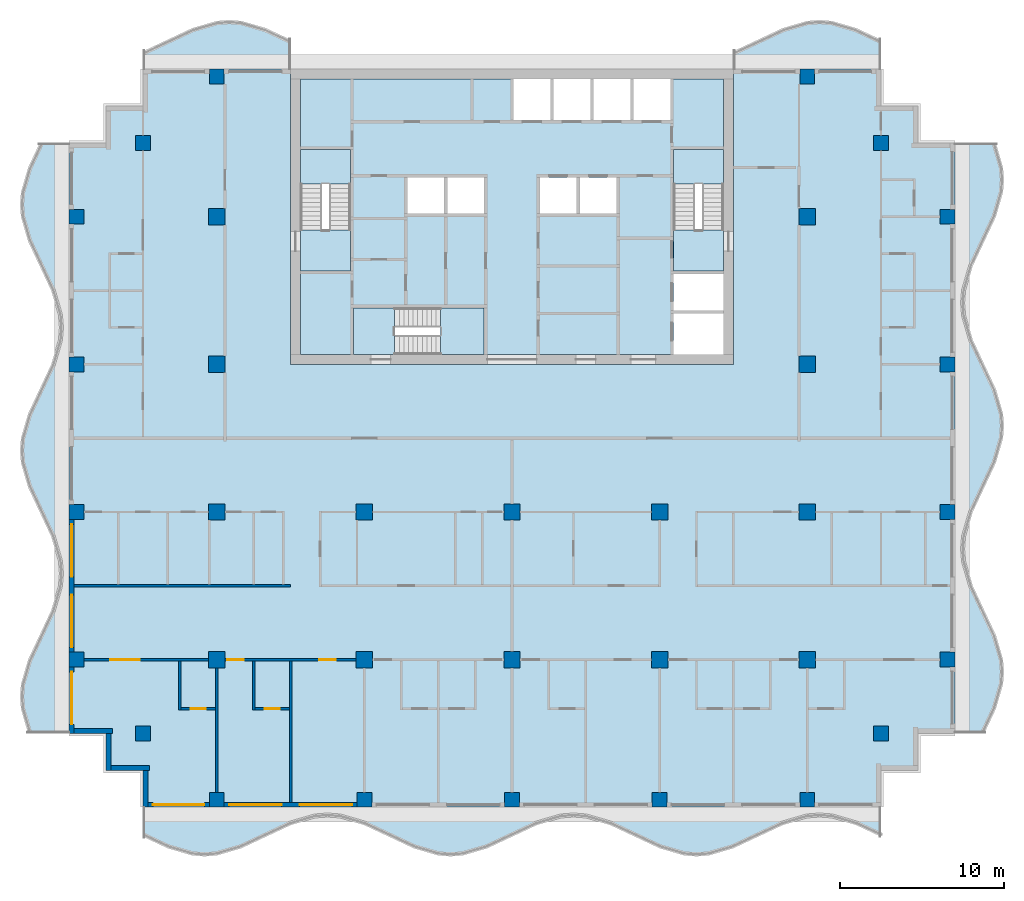
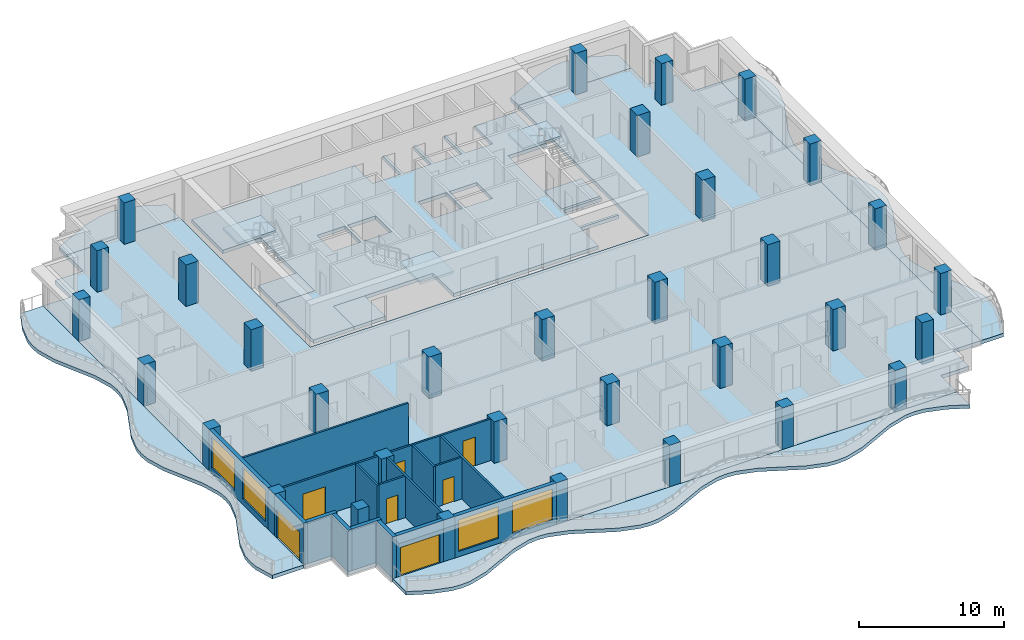
# One storey, part 1 of 11: 33 columns, 17 walls, 13 slabs, 7 doors, 4 windows, 11 openings, 3 elements without a shape of their own.
"""IFC4 building model written with IfcOpenShell, lengths in metres."""

from ifc_helpers import new_model, si_unit, direction, frame, frame_2d, origin, origin_2d, place, context, subcontext, project, spatial, polyline, rectangle, outline, extrude, material, layer, layer_set, material_profile, profile_set, type_object, element, fill, aggregate, save


model = new_model("IFC4")

# Units and contexts
model_context = context("Model", 3, precision=1e-05, world=origin(), true_north=direction((0.0, 1.0)))
body_context = subcontext(model_context, "Body", "Model", "MODEL_VIEW")
ifc_project = project(units=[si_unit("LENGTHUNIT", "METRE"), si_unit("AREAUNIT", "SQUARE_METRE"), si_unit("VOLUMEUNIT", "CUBIC_METRE"), si_unit("PLANEANGLEUNIT", "RADIAN"), si_unit("MASSUNIT", "GRAM", prefix="KILO")], contexts=[model_context])

# Site, building, storey
site_placement = place(None, origin())
site = spatial("IfcSite", under=ifc_project, at=site_placement, CompositionType="ELEMENT")
building_placement = place(site_placement, origin())
building = spatial("IfcBuilding", under=site, at=building_placement, Name="Orbiselva Terraces", CompositionType="ELEMENT")
storey_placement = place(building_placement, frame((0.0, 0.0, 242.6)))
storey = spatial("IfcBuildingStorey", under=building, at=storey_placement, Name="L61", CompositionType="ELEMENT", Elevation=242.6)

# Columns
ifc_material_1 = material(Name="Concrete C50/60", Category="concrete")
ifc_material_profile_1 = material_profile(ifc_material_1, rectangle(XDim=1.0, YDim=1.0, at=origin_2d()), Name="RC 1000x1000")
ifc_profile_set_1 = profile_set([ifc_material_profile_1], Name="Concrete C50/60")
column_type_1 = type_object("IfcColumnType", Name="COLUMN RC 1000x1000", PredefinedType="COLUMN", material=ifc_profile_set_1)
for number, where, z_axis, x_axis, name in (
    (1, (-18.0, -13.5, 0.0), (0.0, 0.0, 1.0), (1.0, 0.0, 0.0), "Column L61-01"),
    (2, (-18.0, -4.5, 0.0), (0.0, 0.0, 1.0), (1.0, 0.0, 0.0), "Column L61-03"),
    (3, (-18.0, 13.5, 0.0), (0.0, 0.0, 1.0), (1.0, 0.0, 0.0), "Column L61-04"),
    (4, (-18.0, 4.5, 0.0), (0.0, 0.0, 1.0), (1.0, 0.0, 0.0), "Column L61-06"),
    (5, (-9.0, -13.5, 0.0), (0.0, 0.0, 1.0), (1.0, 0.0, 0.0), "Column L61-13"),
    (6, (-9.0, -4.5, 0.0), (0.0, 0.0, 1.0), (1.0, 0.0, 0.0), "Column L61-15"),
    (7, (0.0, -13.5, 0.0), (0.0, 0.0, 1.0), (1.0, 0.0, 0.0), "Column L61-16"),
    (8, (0.0, -4.5, 0.0), (0.0, 0.0, 1.0), (1.0, 0.0, 0.0), "Column L61-18"),
    (9, (18.0, -13.5, 0.0), (0.0, 0.0, 1.0), (1.0, 0.0, 0.0), "Column L61-19"),
    (10, (18.0, -4.5, 0.0), (0.0, 0.0, 1.0), (1.0, 0.0, 0.0), "Column L61-21"),
    (11, (18.0, 13.5, 0.0), (0.0, 0.0, 1.0), (1.0, 0.0, 0.0), "Column L61-22"),
    (12, (18.0, 4.5, 0.0), (0.0, 0.0, 1.0), (1.0, 0.0, 0.0), "Column L61-24"),
    (13, (9.0, -13.5, 0.0), (0.0, 0.0, 1.0), (1.0, 0.0, 0.0), "Column L61-31"),
    (14, (9.0, -4.5, 0.0), (0.0, 0.0, 1.0), (1.0, 0.0, 0.0), "Column L61-33"),
):
    element("IfcColumn", number, at=place(storey_placement, frame(where, z_axis=z_axis, x_axis=x_axis)), inside=storey, type_object=column_type_1, Name=name, PredefinedType="COLUMN", context=body_context, shape_type="SweptSolid", body=[
        extrude(rectangle(XDim=1.0, YDim=1.0, at=origin_2d()), origin(), (0.0, 0.0, 1.0), 3.5),
    ])
ifc_material_profile_2 = material_profile(ifc_material_1, rectangle(XDim=0.9, YDim=0.9, at=origin_2d()), Name="RC 900x900")
ifc_profile_set_2 = profile_set([ifc_material_profile_2], Name="Concrete C50/60")
column_type_2 = type_object("IfcColumnType", Name="PERIMETER COLUMN RC 900x900", PredefinedType="COLUMN", material=ifc_profile_set_2)
for number, where, z_axis, x_axis, name in (
    (15, (-18.0, -22.05, 0.0), (0.0, 0.0, 1.0), (1.0, 0.0, 0.0), "Column L61-02"),
    (16, (-18.0, 22.05, 0.0), (0.0, 0.0, 1.0), (1.0, 0.0, 0.0), "Column L61-05"),
    (17, (-26.55, -13.5, 0.0), (0.0, 0.0, 1.0), (1.0, 0.0, 0.0), "Column L61-07"),
    (18, (-22.5, -18.0, 0.0), (0.0, 0.0, 1.0), (1.0, 0.0, 0.0), "Column L61-08"),
    (19, (-26.55, -4.5, 0.0), (0.0, 0.0, 1.0), (1.0, 0.0, 0.0), "Column L61-09"),
    (20, (-26.55, 13.5, 0.0), (0.0, 0.0, 1.0), (1.0, 0.0, 0.0), "Column L61-10"),
    (21, (-22.5, 18.0, 0.0), (0.0, 0.0, 1.0), (1.0, 0.0, 0.0), "Column L61-11"),
    (22, (-26.55, 4.5, 0.0), (0.0, 0.0, 1.0), (1.0, 0.0, 0.0), "Column L61-12"),
    (23, (-9.0, -22.05, 0.0), (0.0, 0.0, 1.0), (1.0, 0.0, 0.0), "Column L61-14"),
    (24, (0.0, -22.05, 0.0), (0.0, 0.0, 1.0), (1.0, 0.0, 0.0), "Column L61-17"),
    (25, (18.0, -22.05, 0.0), (0.0, 0.0, 1.0), (1.0, 0.0, 0.0), "Column L61-20"),
    (26, (18.0, 22.05, 0.0), (0.0, 0.0, 1.0), (1.0, 0.0, 0.0), "Column L61-23"),
    (27, (26.55, -13.5, 0.0), (0.0, 0.0, 1.0), (1.0, 0.0, 0.0), "Column L61-25"),
    (28, (22.5, -18.0, 0.0), (0.0, 0.0, 1.0), (1.0, 0.0, 0.0), "Column L61-26"),
    (29, (26.55, -4.5, 0.0), (0.0, 0.0, 1.0), (1.0, 0.0, 0.0), "Column L61-27"),
    (30, (26.55, 13.5, 0.0), (0.0, 0.0, 1.0), (1.0, 0.0, 0.0), "Column L61-28"),
    (31, (22.5, 18.0, 0.0), (0.0, 0.0, 1.0), (1.0, 0.0, 0.0), "Column L61-29"),
    (32, (26.55, 4.5, 0.0), (0.0, 0.0, 1.0), (1.0, 0.0, 0.0), "Column L61-30"),
    (33, (9.0, -22.05, 0.0), (0.0, 0.0, 1.0), (1.0, 0.0, 0.0), "Column L61-32"),
):
    element("IfcColumn", number, at=place(storey_placement, frame(where, z_axis=z_axis, x_axis=x_axis)), inside=storey, type_object=column_type_2, Name=name, PredefinedType="COLUMN", context=body_context, shape_type="SweptSolid", body=[
        extrude(rectangle(XDim=0.9, YDim=0.9, at=origin_2d()), origin(), (0.0, 0.0, 1.0), 3.5),
    ])

# Slabs
ifc_material_2 = material(Name="Concrete C40/50", Category="concrete")
ifc_layer_1 = layer(ifc_material_2, 0.3)
ifc_layer_set_1 = layer_set([ifc_layer_1], Name="Concrete C40/50")
slab_type_1 = type_object("IfcSlabType", Name="CORE-SLAB-FLOOR-300", PredefinedType="FLOOR", material=ifc_layer_set_1)
slab_1_placement = place(storey_placement, frame((0.0, 0.0, -0.3)))
element("IfcSlab", 34, at=slab_1_placement, inside=storey, type_object=slab_type_1, Name="L61 S1 floor landing", PredefinedType="FLOOR", context=body_context, shape_type="SweptSolid", body=[
    extrude(outline(polyline([(-12.9, 12.7), (-9.85, 12.7), (-9.85, 10.2), (-12.9, 10.2), (-12.9, 12.7)])), origin(), (0.0, 0.0, 1.0), 0.3),
])
slab_2_placement = place(storey_placement, frame((0.0, 0.0, -0.3)))
element("IfcSlab", 35, at=slab_2_placement, inside=storey, type_object=slab_type_1, Name="L61 S2 floor landing", PredefinedType="FLOOR", context=body_context, shape_type="SweptSolid", body=[
    extrude(outline(polyline([(12.9, 12.7), (12.9, 10.2), (9.85, 10.2), (9.85, 12.7), (12.9, 12.7)])), origin(), (0.0, 0.0, 1.0), 0.3),
])
slab_3_placement = place(storey_placement, frame((0.0, 0.0, -0.3)))
element("IfcSlab", 36, at=slab_3_placement, inside=storey, type_object=slab_type_1, Name="L61 S3 floor landing", PredefinedType="FLOOR", context=body_context, shape_type="SweptSolid", body=[
    extrude(outline(polyline([(-7.15, 5.1), (-9.65, 5.1), (-9.65, 7.95), (-7.15, 7.95), (-7.15, 5.1)])), origin(), (0.0, 0.0, 1.0), 0.3),
])
slab_4_placement = place(storey_placement, frame((0.0, 0.0, -0.3)))
element("IfcSlab", 37, at=slab_4_placement, inside=storey, type_object=slab_type_1, Name="L61 core floor slab 1", PredefinedType="FLOOR", context=body_context, shape_type="SweptSolid", body=[
    extrude(outline(polyline([(-1.7, 5.1), (-1.7, 7.95), (-9.65, 7.95), (-9.65, 5.1), (-12.9, 5.1), (-12.9, 10.2), (-9.85, 10.2), (-9.85, 17.6), (-12.9, 17.6), (-12.9, 21.9), (0.1, 21.9), (0.1, 19.4), (2.3375, 19.4), (2.3375, 21.9), (2.5375, 21.9), (2.5375, 19.4), (4.775, 19.4), (4.775, 21.9), (4.975, 21.9), (4.975, 19.4), (7.2125, 19.4), (7.2125, 21.9), (7.4125, 21.9), (7.4125, 19.4), (9.65, 19.4), (9.65, 21.9), (12.9, 21.9), (12.9, 17.6), (9.85, 17.6), (9.85, 10.2), (12.9, 10.2), (12.9, 10.0), (9.85, 10.0), (9.85, 7.8), (12.9, 7.8), (12.9, 7.6), (9.85, 7.6), (9.85, 5.1), (-1.7, 5.1)]), holes=[polyline([(-4.1375, 13.7), (-4.1375, 15.9), (-6.375, 15.9), (-6.375, 13.7), (-4.1375, 13.7)]), polyline([(-1.7, 13.7), (-1.7, 15.9), (-3.9375, 15.9), (-3.9375, 13.7), (-1.7, 13.7)]), polyline([(3.9375, 15.9), (1.7, 15.9), (1.7, 13.7), (3.9375, 13.7), (3.9375, 15.9)]), polyline([(6.375, 13.7), (6.375, 15.9), (4.1375, 15.9), (4.1375, 13.7), (6.375, 13.7)])]), origin(), (0.0, 0.0, 1.0), 0.3),
])

# Stair, slab
stair_type_1 = type_object("IfcStairType", Name="CORE-STAIR-1300", PredefinedType="HALF_TURN_STAIR", material=ifc_material_2)
stair_1_placement = place(storey_placement, origin())
stair_1 = element("IfcStair", 38, at=stair_1_placement, inside=storey, type_object=stair_type_1, Name="L61 Exit Stair S1", PredefinedType="HALF_TURN_STAIR")
ifc_layer_2 = layer(ifc_material_2, 0.2)
ifc_layer_set_2 = layer_set([ifc_layer_2], Name="Concrete C40/50")
slab_type_2 = type_object("IfcSlabType", Name="CORE-STAIR-LANDING-200", PredefinedType="LANDING", material=ifc_layer_set_2)
slab_5_placement = place(storey_placement, frame((0.0, 0.0, 1.7)))
slab_5 = element("IfcSlab", 39, at=slab_5_placement, type_object=slab_type_2, Name="S1 landing 1", PredefinedType="LANDING", context=body_context, shape_type="SweptSolid", body=[
    extrude(outline(polyline([(-9.85, 15.5), (-9.85, 17.6), (-12.9, 17.6), (-12.9, 15.5), (-9.85, 15.5)])), origin(), (0.0, 0.0, 1.0), 0.2),
])
aggregate(stair_1, [slab_5])

stair_2_placement = place(storey_placement, origin())
stair_2 = element("IfcStair", 40, at=stair_2_placement, inside=storey, type_object=stair_type_1, Name="L61 Exit Stair S2", PredefinedType="HALF_TURN_STAIR")
slab_6_placement = place(storey_placement, frame((0.0, 0.0, 1.7)))
slab_6 = element("IfcSlab", 41, at=slab_6_placement, type_object=slab_type_2, Name="S2 landing 1", PredefinedType="LANDING", context=body_context, shape_type="SweptSolid", body=[
    extrude(outline(polyline([(12.9, 15.5), (12.9, 17.6), (9.85, 17.6), (9.85, 15.5), (12.9, 15.5)])), origin(), (0.0, 0.0, 1.0), 0.2),
])
aggregate(stair_2, [slab_6])

stair_type_2 = type_object("IfcStairType", Name="CORE-STAIR-1200", PredefinedType="HALF_TURN_STAIR", material=ifc_material_2)
stair_3_placement = place(storey_placement, origin())
stair_3 = element("IfcStair", 42, at=stair_3_placement, inside=storey, type_object=stair_type_2, Name="L61 Exit Stair S3", PredefinedType="HALF_TURN_STAIR")
slab_7_placement = place(storey_placement, frame((0.0, 0.0, 1.7)))
slab_7 = element("IfcSlab", 43, at=slab_7_placement, type_object=slab_type_2, Name="S3 landing 1", PredefinedType="LANDING", context=body_context, shape_type="SweptSolid", body=[
    extrude(outline(polyline([(-4.35, 5.1), (-1.7, 5.1), (-1.7, 7.95), (-4.35, 7.95), (-4.35, 5.1)])), origin(), (0.0, 0.0, 1.0), 0.2),
])
aggregate(stair_3, [slab_7])

# Slabs
ifc_layer_3 = layer(ifc_material_1, 0.3)
ifc_layer_set_3 = layer_set([ifc_layer_3], Name="Concrete C50/60")
slab_type_3 = type_object("IfcSlabType", Name="ENV-BALCONY-SLAB-300", PredefinedType="FLOOR", material=ifc_layer_set_3)
slab_8_placement = place(storey_placement, frame((0.0, 0.0, -0.3)))
element("IfcSlab", 44, at=slab_8_placement, inside=storey, type_object=slab_type_3, Name="Balcony slab L61 S", PredefinedType="FLOOR", context=body_context, shape_type="SweptSolid", body=[
    extrude(outline(polyline([(-22.5, -24.3), (-21.0, -25.005342), (-19.5, -25.441268), (-18.75, -25.5), (-18.0, -25.441268), (-16.5, -25.005342), (-13.5, -23.594658), (-12.0, -23.158732), (-11.25, -23.1), (-10.5, -23.158732), (-9.0, -23.594658), (-6.0, -25.005342), (-4.5, -25.441268), (-3.75, -25.5), (-3.0, -25.441268), (-1.5, -25.005342), (1.5, -23.594658), (3.0, -23.158732), (3.75, -23.1), (4.5, -23.158732), (6.0, -23.594658), (9.0, -25.005342), (10.5, -25.441268), (11.25, -25.5), (12.0, -25.441268), (13.5, -25.005342), (16.5, -23.594658), (18.0, -23.158732), (18.75, -23.1), (19.5, -23.158732), (21.0, -23.594658), (22.5, -24.3), (22.5, -22.5), (-22.5, -22.5), (-22.5, -24.3)])), origin(), (0.0, 0.0, 1.0), 0.3),
])
slab_9_placement = place(storey_placement, frame((0.0, 0.0, -0.3)))
element("IfcSlab", 45, at=slab_9_placement, inside=storey, type_object=slab_type_3, Name="Balcony slab L61 E", PredefinedType="FLOOR", context=body_context, shape_type="SweptSolid", body=[
    extrude(outline(polyline([(28.8, -18.0), (29.505342, -16.5), (29.941268, -15.0), (30.0, -14.25), (29.941268, -13.5), (29.505342, -12.0), (28.094658, -9.0), (27.658732, -7.5), (27.6, -6.75), (27.658732, -6.0), (28.094658, -4.5), (29.505342, -1.5), (29.941268, 0.0), (30.0, 0.75), (29.941268, 1.5), (29.505342, 3.0), (28.094658, 6.0), (27.658732, 7.5), (27.6, 8.25), (27.658732, 9.0), (28.094658, 10.5), (29.505342, 13.5), (29.941268, 15.0), (30.0, 15.75), (29.941268, 16.5), (29.505342, 18.0), (27.0, 18.0), (27.0, -18.0), (28.8, -18.0)])), origin(), (0.0, 0.0, 1.0), 0.3),
])
slab_10_placement = place(storey_placement, frame((0.0, 0.0, -0.3)))
element("IfcSlab", 46, at=slab_10_placement, inside=storey, type_object=slab_type_3, Name="Balcony slab L61 NE", PredefinedType="FLOOR", context=body_context, shape_type="SweptSolid", body=[
    extrude(outline(polyline([(22.5, 24.3), (21.0, 25.005342), (19.5, 25.441268), (18.75, 25.5), (18.0, 25.441268), (16.5, 25.005342), (13.5, 23.594658), (13.5, 22.5), (22.5, 22.5), (22.5, 24.3)])), origin(), (0.0, 0.0, 1.0), 0.3),
])
slab_11_placement = place(storey_placement, frame((0.0, 0.0, -0.3)))
element("IfcSlab", 47, at=slab_11_placement, inside=storey, type_object=slab_type_3, Name="Balcony slab L61 NW", PredefinedType="FLOOR", context=body_context, shape_type="SweptSolid", body=[
    extrude(outline(polyline([(-13.5, 24.3), (-15.0, 25.005342), (-16.5, 25.441268), (-17.25, 25.5), (-18.0, 25.441268), (-19.5, 25.005342), (-22.5, 23.594658), (-22.5, 22.5), (-13.5, 22.5), (-13.5, 24.3)])), origin(), (0.0, 0.0, 1.0), 0.3),
])
slab_12_placement = place(storey_placement, frame((0.0, 0.0, -0.3)))
element("IfcSlab", 48, at=slab_12_placement, inside=storey, type_object=slab_type_3, Name="Balcony slab L61 W", PredefinedType="FLOOR", context=body_context, shape_type="SweptSolid", body=[
    extrude(outline(polyline([(-28.8, 18.0), (-29.505342, 16.5), (-29.941268, 15.0), (-30.0, 14.25), (-29.941268, 13.5), (-29.505342, 12.0), (-28.094658, 9.0), (-27.658732, 7.5), (-27.6, 6.75), (-27.658732, 6.0), (-28.094658, 4.5), (-29.505342, 1.5), (-29.941268, 0.0), (-30.0, -0.75), (-29.941268, -1.5), (-29.505342, -3.0), (-28.094658, -6.0), (-27.658732, -7.5), (-27.6, -8.25), (-27.658732, -9.0), (-28.094658, -10.5), (-29.505342, -13.5), (-29.941268, -15.0), (-30.0, -15.75), (-29.941268, -16.5), (-29.505342, -18.0), (-27.0, -18.0), (-27.0, 18.0), (-28.8, 18.0)])), origin(), (0.0, 0.0, 1.0), 0.3),
])
ifc_layer_4 = layer(ifc_material_1, 0.3)
ifc_layer_set_4 = layer_set([ifc_layer_4], Name="Concrete C50/60")
slab_type_4 = type_object("IfcSlabType", Name="FLOOR SLAB 300", PredefinedType="FLOOR", material=ifc_layer_set_4)
slab_13_placement = place(storey_placement, frame((0.0, 0.0, -0.3)))
element("IfcSlab", 49, at=slab_13_placement, inside=storey, type_object=slab_type_4, Name="Floor slab L61", PredefinedType="FLOOR", context=body_context, shape_type="SweptSolid", body=[
    extrude(outline(polyline([(22.5, 22.5), (22.5, 20.25), (24.75, 20.25), (24.75, 18.0), (27.0, 18.0), (27.0, -18.0), (24.75, -18.0), (24.75, -20.25), (22.5, -20.25), (22.5, -22.5), (-22.5, -22.5), (-22.5, -20.25), (-24.75, -20.25), (-24.75, -18.0), (-27.0, -18.0), (-27.0, 18.0), (-24.75, 18.0), (-24.75, 20.25), (-22.5, 20.25), (-22.5, 22.5), (-13.5, 22.5), (-13.5, 4.5), (13.5, 4.5), (13.5, 22.5), (22.5, 22.5)])), origin(), (0.0, 0.0, 1.0), 0.3),
])

# Wall, opening, door
ifc_material_3 = material(Name="Terracotta cladding on masonry backing", Category="masonry")
ifc_layer_5 = layer(ifc_material_3, 0.3)
ifc_layer_set_5 = layer_set([ifc_layer_5], Name="Terracotta cladding on masonry backing")
wall_type_1 = type_object("IfcWallType", Name="ENV-WALL-TERRACOTTA-300", PredefinedType="SOLIDWALL", material=ifc_layer_set_5)
wall_1_placement = place(storey_placement, frame((-18.45, -22.35, 0.0), z_axis=(0.0, 0.0, 1.0), x_axis=(-1.0, 0.0, 0.0)))
wall_1 = element("IfcWall", 50, at=wall_1_placement, inside=storey, type_object=wall_type_1, Name="Facade wall L61 S", PredefinedType="SOLIDWALL", context=body_context, shape_type="SweptSolid", body=[
    extrude(rectangle(XDim=3.75, YDim=0.3, at=frame_2d((1.875, 0.0))), origin(), (0.0, 0.0, 1.0), 3.5),
])
opening_1_placement = place(wall_1_placement, frame((0.3, 0.0, 0.0)))
opening_1 = element("IfcOpeningElement", 51, at=opening_1_placement, cuts=wall_1, Name="Opening Z5-A-E13", PredefinedType="OPENING", context=body_context, shape_type="SweptSolid", body=[
    extrude(rectangle(XDim=3.15, YDim=2.4, at=frame_2d((1.575, 1.2))), frame((0.0, 0.16, 0.0), z_axis=(0.0, -1.0, 0.0), x_axis=(1.0, 0.0, 0.0)), (0.0, 0.0, 1.0), 0.32),
])
ifc_material_4 = material(Name="Clear low-e glazing in aluminium frame", Category="aluminium")
door_type_1 = type_object("IfcDoorType", Name="BALCONY DOOR 3150 X 2400", OperationType="DOUBLE_DOOR_SLIDING", PredefinedType="DOOR", material=ifc_material_4)
door_1_placement = place(opening_1_placement, origin())
door_1 = element("IfcDoor", 52, at=door_1_placement, inside=storey, type_object=door_type_1, Name="Z5-A-E13", OperationType="SINGLE_SWING_LEFT", OverallHeight=2.4, OverallWidth=3.15, PredefinedType="DOOR", context=body_context, shape_type="SweptSolid", body=[
    extrude(rectangle(XDim=3.15, YDim=2.4, at=frame_2d((1.575, 1.2))), frame((0.0, 0.025, 0.0), z_axis=(0.0, -1.0, 0.0), x_axis=(1.0, 0.0, 0.0)), (0.0, 0.0, 1.0), 0.05),
])
fill(opening_1, door_1)

# Wall, openings, windows
wall_2_placement = place(storey_placement, frame((-9.45, -22.35, 0.0), z_axis=(0.0, 0.0, 1.0), x_axis=(-1.0, 0.0, 0.0)))
wall_2 = element("IfcWall", 53, at=wall_2_placement, inside=storey, type_object=wall_type_1, Name="Facade wall L61 S", PredefinedType="SOLIDWALL", context=body_context, shape_type="SweptSolid", body=[
    extrude(rectangle(XDim=8.1, YDim=0.3, at=frame_2d((4.05, 0.0))), origin(), (0.0, 0.0, 1.0), 3.5),
])
opening_2_placement = place(wall_2_placement, frame((4.6, 0.0, 0.45)))
opening_2 = element("IfcOpeningElement", 54, at=opening_2_placement, cuts=wall_2, Name="Opening WN17", PredefinedType="OPENING", context=body_context, shape_type="SweptSolid", body=[
    extrude(rectangle(XDim=3.2, YDim=2.65, at=frame_2d((1.6, 1.325))), frame((0.0, 0.16, 0.0), z_axis=(0.0, -1.0, 0.0), x_axis=(1.0, 0.0, 0.0)), (0.0, 0.0, 1.0), 0.32),
])
opening_3_placement = place(wall_2_placement, frame((0.3, 0.0, 0.45)))
opening_3 = element("IfcOpeningElement", 55, at=opening_3_placement, cuts=wall_2, Name="Opening WN17", PredefinedType="OPENING", context=body_context, shape_type="SweptSolid", body=[
    extrude(rectangle(XDim=3.2, YDim=2.65, at=frame_2d((1.6, 1.325))), frame((0.0, 0.16, 0.0), z_axis=(0.0, -1.0, 0.0), x_axis=(1.0, 0.0, 0.0)), (0.0, 0.0, 1.0), 0.32),
])
window_type = type_object("IfcWindowType", Name="WINDOW 3200 X 2650 S450", PartitioningType="TRIPLE_PANEL_VERTICAL", PredefinedType="WINDOW", material=ifc_material_4)
window_1_placement = place(opening_2_placement, origin())
window_1 = element("IfcWindow", 56, at=window_1_placement, inside=storey, type_object=window_type, Name="Window L61 S", OverallHeight=2.65, OverallWidth=3.2, PartitioningType="SINGLE_PANEL", PredefinedType="WINDOW", context=body_context, shape_type="SweptSolid", body=[
    extrude(rectangle(XDim=3.2, YDim=2.65, at=frame_2d((1.6, 1.325))), frame((0.0, 0.03, 0.0), z_axis=(0.0, -1.0, 0.0), x_axis=(1.0, 0.0, 0.0)), (0.0, 0.0, 1.0), 0.06),
])
fill(opening_2, window_1)
window_2_placement = place(opening_3_placement, origin())
window_2 = element("IfcWindow", 57, at=window_2_placement, inside=storey, type_object=window_type, Name="Window L61 S", OverallHeight=2.65, OverallWidth=3.2, PartitioningType="SINGLE_PANEL", PredefinedType="WINDOW", context=body_context, shape_type="SweptSolid", body=[
    extrude(rectangle(XDim=3.2, YDim=2.65, at=frame_2d((1.6, 1.325))), frame((0.0, 0.03, 0.0), z_axis=(0.0, -1.0, 0.0), x_axis=(1.0, 0.0, 0.0)), (0.0, 0.0, 1.0), 0.06),
])
fill(opening_3, window_2)

wall_3_placement = place(storey_placement, frame((-26.85, -13.05, 0.0), z_axis=(0.0, 0.0, 1.0), x_axis=(0.0, 1.0, 0.0)))
wall_3 = element("IfcWall", 58, at=wall_3_placement, inside=storey, type_object=wall_type_1, Name="Facade wall L61 W", PredefinedType="SOLIDWALL", context=body_context, shape_type="SweptSolid", body=[
    extrude(rectangle(XDim=8.1, YDim=0.3, at=frame_2d((4.05, 0.0))), origin(), (0.0, 0.0, 1.0), 3.5),
])
opening_4_placement = place(wall_3_placement, frame((4.6, 0.0, 0.45)))
opening_4 = element("IfcOpeningElement", 59, at=opening_4_placement, cuts=wall_3, Name="Opening WN17", PredefinedType="OPENING", context=body_context, shape_type="SweptSolid", body=[
    extrude(rectangle(XDim=3.2, YDim=2.65, at=frame_2d((1.6, 1.325))), frame((0.0, 0.16, 0.0), z_axis=(0.0, -1.0, 0.0), x_axis=(1.0, 0.0, 0.0)), (0.0, 0.0, 1.0), 0.32),
])
opening_5_placement = place(wall_3_placement, frame((0.3, 0.0, 0.45)))
opening_5 = element("IfcOpeningElement", 60, at=opening_5_placement, cuts=wall_3, Name="Opening WN17", PredefinedType="OPENING", context=body_context, shape_type="SweptSolid", body=[
    extrude(rectangle(XDim=3.2, YDim=2.65, at=frame_2d((1.6, 1.325))), frame((0.0, 0.16, 0.0), z_axis=(0.0, -1.0, 0.0), x_axis=(1.0, 0.0, 0.0)), (0.0, 0.0, 1.0), 0.32),
])
window_3_placement = place(opening_4_placement, origin())
window_3 = element("IfcWindow", 61, at=window_3_placement, inside=storey, type_object=window_type, Name="Window L61 W", OverallHeight=2.65, OverallWidth=3.2, PartitioningType="SINGLE_PANEL", PredefinedType="WINDOW", context=body_context, shape_type="SweptSolid", body=[
    extrude(rectangle(XDim=3.2, YDim=2.65, at=frame_2d((1.6, 1.325))), frame((0.0, 0.03, 0.0), z_axis=(0.0, -1.0, 0.0), x_axis=(1.0, 0.0, 0.0)), (0.0, 0.0, 1.0), 0.06),
])
fill(opening_4, window_3)
window_4_placement = place(opening_5_placement, origin())
window_4 = element("IfcWindow", 62, at=window_4_placement, inside=storey, type_object=window_type, Name="Window L61 W", OverallHeight=2.65, OverallWidth=3.2, PartitioningType="SINGLE_PANEL", PredefinedType="WINDOW", context=body_context, shape_type="SweptSolid", body=[
    extrude(rectangle(XDim=3.2, YDim=2.65, at=frame_2d((1.6, 1.325))), frame((0.0, 0.03, 0.0), z_axis=(0.0, -1.0, 0.0), x_axis=(1.0, 0.0, 0.0)), (0.0, 0.0, 1.0), 0.06),
])
fill(opening_5, window_4)

# Wall, opening, door
wall_4_placement = place(storey_placement, frame((-26.85, -18.0, 0.0), z_axis=(0.0, 0.0, 1.0), x_axis=(0.0, 1.0, 0.0)))
wall_4 = element("IfcWall", 63, at=wall_4_placement, inside=storey, type_object=wall_type_1, Name="Facade wall L61 W", PredefinedType="SOLIDWALL", context=body_context, shape_type="SweptSolid", body=[
    extrude(rectangle(XDim=4.05, YDim=0.3, at=frame_2d((2.025, 0.0))), origin(), (0.0, 0.0, 1.0), 3.5),
])
opening_6_placement = place(wall_4_placement, frame((0.55, 0.0, 0.0)))
opening_6 = element("IfcOpeningElement", 64, at=opening_6_placement, cuts=wall_4, Name="Opening Z5-A-E12", PredefinedType="OPENING", context=body_context, shape_type="SweptSolid", body=[
    extrude(rectangle(XDim=3.2, YDim=2.4, at=frame_2d((1.6, 1.2))), frame((0.0, 0.16, 0.0), z_axis=(0.0, -1.0, 0.0), x_axis=(1.0, 0.0, 0.0)), (0.0, 0.0, 1.0), 0.32),
])
door_type_2 = type_object("IfcDoorType", Name="BALCONY DOOR 3200 X 2400", OperationType="DOUBLE_DOOR_SLIDING", PredefinedType="DOOR", material=ifc_material_4)
door_2_placement = place(opening_6_placement, origin())
door_2 = element("IfcDoor", 65, at=door_2_placement, inside=storey, type_object=door_type_2, Name="Z5-A-E12", OperationType="SINGLE_SWING_LEFT", OverallHeight=2.4, OverallWidth=3.2, PredefinedType="DOOR", context=body_context, shape_type="SweptSolid", body=[
    extrude(rectangle(XDim=3.2, YDim=2.4, at=frame_2d((1.6, 1.2))), frame((0.0, 0.025, 0.0), z_axis=(0.0, -1.0, 0.0), x_axis=(1.0, 0.0, 0.0)), (0.0, 0.0, 1.0), 0.05),
])
fill(opening_6, door_2)

# Walls
wall_5_placement = place(storey_placement, frame((-24.35, -17.85, 0.0), z_axis=(0.0, 0.0, 1.0), x_axis=(-1.0, 0.0, 0.0)))
element("IfcWall", 66, at=wall_5_placement, inside=storey, type_object=wall_type_1, Name="Facade wall L61 STEP", PredefinedType="SOLIDWALL", context=body_context, shape_type="SweptSolid", body=[
    extrude(rectangle(XDim=2.35, YDim=0.3, at=frame_2d((1.175, 0.0))), origin(), (0.0, 0.0, 1.0), 3.5),
])
wall_6_placement = place(storey_placement, frame((-24.6, -20.25, 0.0), z_axis=(0.0, 0.0, 1.0), x_axis=(0.0, 1.0, 0.0)))
element("IfcWall", 67, at=wall_6_placement, inside=storey, type_object=wall_type_1, Name="Facade wall L61 STEP", PredefinedType="SOLIDWALL", context=body_context, shape_type="SweptSolid", body=[
    extrude(rectangle(XDim=2.25, YDim=0.3, at=frame_2d((1.125, 0.0))), origin(), (0.0, 0.0, 1.0), 3.5),
])
wall_7_placement = place(storey_placement, frame((-22.1, -20.1, 0.0), z_axis=(0.0, 0.0, 1.0), x_axis=(-1.0, 0.0, 0.0)))
element("IfcWall", 68, at=wall_7_placement, inside=storey, type_object=wall_type_1, Name="Facade wall L61 STEP", PredefinedType="SOLIDWALL", context=body_context, shape_type="SweptSolid", body=[
    extrude(rectangle(XDim=2.35, YDim=0.3, at=frame_2d((1.175, 0.0))), origin(), (0.0, 0.0, 1.0), 3.5),
])
wall_8_placement = place(storey_placement, frame((-22.35, -22.5, 0.0), z_axis=(0.0, 0.0, 1.0), x_axis=(0.0, 1.0, 0.0)))
element("IfcWall", 69, at=wall_8_placement, inside=storey, type_object=wall_type_1, Name="Facade wall L61 STEP", PredefinedType="SOLIDWALL", context=body_context, shape_type="SweptSolid", body=[
    extrude(rectangle(XDim=2.25, YDim=0.3, at=frame_2d((1.125, 0.0))), origin(), (0.0, 0.0, 1.0), 3.5),
])

# Wall, opening, door
ifc_material_5 = material(Name="Plasterboard on steel stud partition", Category="steel")
ifc_layer_6 = layer(ifc_material_5, 0.15)
ifc_layer_set_6 = layer_set([ifc_layer_6], Name="Plasterboard on steel stud partition")
wall_type_2 = type_object("IfcWallType", Name="UNIT-PARTITION-150", PredefinedType="PARTITIONING", material=ifc_layer_set_6)
wall_9_placement = place(storey_placement, frame((-20.175, -16.5, 0.0), z_axis=(0.0, 0.0, 1.0), x_axis=(1.0, 0.0, 0.0)))
wall_9 = element("IfcWall", 70, at=wall_9_placement, inside=storey, type_object=wall_type_2, Name="PARTITION L61-001", PredefinedType="PARTITIONING", context=body_context, shape_type="SweptSolid", body=[
    extrude(rectangle(XDim=2.1, YDim=0.15, at=frame_2d((1.05, 0.0))), origin(), (0.0, 0.0, 1.0), 3.5),
])
opening_7_placement = place(wall_9_placement, frame((0.6, 0.0, 0.0)))
opening_7 = element("IfcOpeningElement", 71, at=opening_7_placement, cuts=wall_9, Name="Opening Z5-A-34", PredefinedType="OPENING", context=body_context, shape_type="SweptSolid", body=[
    extrude(rectangle(XDim=0.9, YDim=2.1, at=frame_2d((0.45, 1.05))), frame((0.0, 0.085, 0.0), z_axis=(0.0, -1.0, 0.0), x_axis=(1.0, 0.0, 0.0)), (0.0, 0.0, 1.0), 0.17),
])
ifc_material_6 = material(Name="Painted timber door leaf", Category="wood")
door_type_3 = type_object("IfcDoorType", Name="BATH DOOR 900", OperationType="NOTDEFINED", PredefinedType="DOOR", material=ifc_material_6)
door_3_placement = place(opening_7_placement, origin())
door_3 = element("IfcDoor", 72, at=door_3_placement, inside=storey, type_object=door_type_3, Name="Z5-A-34", OperationType="SINGLE_SWING_LEFT", OverallHeight=2.1, OverallWidth=0.9, PredefinedType="DOOR", context=body_context, shape_type="SweptSolid", body=[
    extrude(rectangle(XDim=0.9, YDim=2.1, at=frame_2d((0.45, 1.05))), frame((0.0, 0.025, 0.0), z_axis=(0.0, -1.0, 0.0), x_axis=(1.0, 0.0, 0.0)), (0.0, 0.0, 1.0), 0.05),
])
fill(opening_7, door_3)

wall_10_placement = place(storey_placement, frame((-15.675, -16.5, 0.0), z_axis=(0.0, 0.0, 1.0), x_axis=(1.0, 0.0, 0.0)))
wall_10 = element("IfcWall", 73, at=wall_10_placement, inside=storey, type_object=wall_type_2, Name="PARTITION L61-002", PredefinedType="PARTITIONING", context=body_context, shape_type="SweptSolid", body=[
    extrude(rectangle(XDim=2.1, YDim=0.15, at=frame_2d((1.05, 0.0))), origin(), (0.0, 0.0, 1.0), 3.5),
])
opening_8_placement = place(wall_10_placement, frame((0.6, 0.0, 0.0)))
opening_8 = element("IfcOpeningElement", 74, at=opening_8_placement, cuts=wall_10, Name="Opening Z5-A-32", PredefinedType="OPENING", context=body_context, shape_type="SweptSolid", body=[
    extrude(rectangle(XDim=0.9, YDim=2.1, at=frame_2d((0.45, 1.05))), frame((0.0, 0.085, 0.0), z_axis=(0.0, -1.0, 0.0), x_axis=(1.0, 0.0, 0.0)), (0.0, 0.0, 1.0), 0.17),
])
door_4_placement = place(opening_8_placement, origin())
door_4 = element("IfcDoor", 75, at=door_4_placement, inside=storey, type_object=door_type_3, Name="Z5-A-32", OperationType="SINGLE_SWING_LEFT", OverallHeight=2.1, OverallWidth=0.9, PredefinedType="DOOR", context=body_context, shape_type="SweptSolid", body=[
    extrude(rectangle(XDim=0.9, YDim=2.1, at=frame_2d((0.45, 1.05))), frame((0.0, 0.025, 0.0), z_axis=(0.0, -1.0, 0.0), x_axis=(1.0, 0.0, 0.0)), (0.0, 0.0, 1.0), 0.05),
])
fill(opening_8, door_4)

wall_11_placement = place(storey_placement, frame((-18.5, -13.5, 0.0), z_axis=(0.0, 0.0, 1.0), x_axis=(-1.0, 0.0, 0.0)))
wall_11 = element("IfcWall", 76, at=wall_11_placement, inside=storey, type_object=wall_type_2, Name="PARTITION L61-009", PredefinedType="PARTITIONING", context=body_context, shape_type="SweptSolid", body=[
    extrude(rectangle(XDim=7.6, YDim=0.15, at=frame_2d((3.8, 0.0))), origin(), (0.0, 0.0, 1.0), 3.5),
])
opening_9_placement = place(wall_11_placement, frame((4.2, 0.0, 0.0)))
opening_9 = element("IfcOpeningElement", 77, at=opening_9_placement, cuts=wall_11, Name="Opening Z5-A-33", PredefinedType="OPENING", context=body_context, shape_type="SweptSolid", body=[
    extrude(rectangle(XDim=1.8, YDim=2.4, at=frame_2d((0.9, 1.2))), frame((0.0, 0.085, 0.0), z_axis=(0.0, -1.0, 0.0), x_axis=(1.0, 0.0, 0.0)), (0.0, 0.0, 1.0), 0.17),
])
door_type_4 = type_object("IfcDoorType", Name="DOUBLE DOOR 1800", OperationType="NOTDEFINED", PredefinedType="DOOR", material=ifc_material_6)
door_5_placement = place(opening_9_placement, origin())
door_5 = element("IfcDoor", 78, at=door_5_placement, inside=storey, type_object=door_type_4, Name="Z5-A-33", OperationType="DOUBLE_DOOR_SINGLE_SWING", OverallHeight=2.4, OverallWidth=1.8, PredefinedType="DOOR", context=body_context, shape_type="SweptSolid", body=[
    extrude(rectangle(XDim=1.8, YDim=2.4, at=frame_2d((0.9, 1.2))), frame((0.0, 0.025, 0.0), z_axis=(0.0, -1.0, 0.0), x_axis=(1.0, 0.0, 0.0)), (0.0, 0.0, 1.0), 0.05),
])
fill(opening_9, door_5)

# Wall, openings, doors
wall_12_placement = place(storey_placement, frame((-9.5, -13.5, 0.0), z_axis=(0.0, 0.0, 1.0), x_axis=(-1.0, 0.0, 0.0)))
wall_12 = element("IfcWall", 79, at=wall_12_placement, inside=storey, type_object=wall_type_2, Name="PARTITION L61-010", PredefinedType="PARTITIONING", context=body_context, shape_type="SweptSolid", body=[
    extrude(rectangle(XDim=8.0, YDim=0.15, at=frame_2d((4.0, 0.0))), origin(), (0.0, 0.0, 1.0), 3.5),
])
opening_10_placement = place(wall_12_placement, frame((1.25, 0.0, 0.0)))
opening_10 = element("IfcOpeningElement", 80, at=opening_10_placement, cuts=wall_12, Name="Opening Z5-A-30", PredefinedType="OPENING", context=body_context, shape_type="SweptSolid", body=[
    extrude(rectangle(XDim=1.0, YDim=2.4, at=frame_2d((0.5, 1.2))), frame((0.0, 0.085, 0.0), z_axis=(0.0, -1.0, 0.0), x_axis=(1.0, 0.0, 0.0)), (0.0, 0.0, 1.0), 0.17),
])
opening_11_placement = place(wall_12_placement, frame((6.85, 0.0, 0.0)))
opening_11 = element("IfcOpeningElement", 81, at=opening_11_placement, cuts=wall_12, Name="Opening Z5-A-31", PredefinedType="OPENING", context=body_context, shape_type="SweptSolid", body=[
    extrude(rectangle(XDim=1.0, YDim=2.4, at=frame_2d((0.5, 1.2))), frame((0.0, 0.085, 0.0), z_axis=(0.0, -1.0, 0.0), x_axis=(1.0, 0.0, 0.0)), (0.0, 0.0, 1.0), 0.17),
])
door_type_5 = type_object("IfcDoorType", Name="ROOM DOOR 1000", OperationType="NOTDEFINED", PredefinedType="DOOR", material=ifc_material_6)
door_6_placement = place(opening_10_placement, origin())
door_6 = element("IfcDoor", 82, at=door_6_placement, inside=storey, type_object=door_type_5, Name="Z5-A-30", OperationType="SINGLE_SWING_LEFT", OverallHeight=2.4, OverallWidth=1.0, PredefinedType="DOOR", context=body_context, shape_type="SweptSolid", body=[
    extrude(rectangle(XDim=1.0, YDim=2.4, at=frame_2d((0.5, 1.2))), frame((0.0, 0.025, 0.0), z_axis=(0.0, -1.0, 0.0), x_axis=(1.0, 0.0, 0.0)), (0.0, 0.0, 1.0), 0.05),
])
fill(opening_10, door_6)
door_7_placement = place(opening_11_placement, origin())
door_7 = element("IfcDoor", 83, at=door_7_placement, inside=storey, type_object=door_type_5, Name="Z5-A-31", OperationType="SINGLE_SWING_RIGHT", OverallHeight=2.4, OverallWidth=1.0, PredefinedType="DOOR", context=body_context, shape_type="SweptSolid", body=[
    extrude(rectangle(XDim=1.0, YDim=2.4, at=frame_2d((0.5, 1.2))), frame((0.0, 0.025, 0.0), z_axis=(0.0, -1.0, 0.0), x_axis=(1.0, 0.0, 0.0)), (0.0, 0.0, 1.0), 0.05),
])
fill(opening_11, door_7)

# Walls
wall_13_placement = place(storey_placement, frame((-26.7, -9.0, 0.0), z_axis=(0.0, 0.0, 1.0), x_axis=(1.0, 0.0, 0.0)))
element("IfcWall", 84, at=wall_13_placement, inside=storey, type_object=wall_type_2, Name="PARTITION L61-015", PredefinedType="PARTITIONING", context=body_context, shape_type="SweptSolid", body=[
    extrude(rectangle(XDim=13.2, YDim=0.15, at=frame_2d((6.6, 0.0))), origin(), (0.0, 0.0, 1.0), 3.5),
])
wall_14_placement = place(storey_placement, frame((-20.25, -16.575, 0.0), z_axis=(0.0, 0.0, 1.0), x_axis=(0.0, 1.0, 0.0)))
element("IfcWall", 85, at=wall_14_placement, inside=storey, type_object=wall_type_2, Name="PARTITION L61-047", PredefinedType="PARTITIONING", context=body_context, shape_type="SweptSolid", body=[
    extrude(rectangle(XDim=3.0, YDim=0.15, at=frame_2d((1.5, 0.0))), origin(), (0.0, 0.0, 1.0), 3.5),
])
wall_15_placement = place(storey_placement, frame((-18.0, -21.6, 0.0), z_axis=(0.0, 0.0, 1.0), x_axis=(0.0, 1.0, 0.0)))
element("IfcWall", 86, at=wall_15_placement, inside=storey, type_object=wall_type_2, Name="PARTITION L61-049", PredefinedType="PARTITIONING", context=body_context, shape_type="SweptSolid", body=[
    extrude(rectangle(XDim=7.6, YDim=0.15, at=frame_2d((3.8, 0.0))), origin(), (0.0, 0.0, 1.0), 3.5),
])
wall_16_placement = place(storey_placement, frame((-15.75, -16.575, 0.0), z_axis=(0.0, 0.0, 1.0), x_axis=(0.0, 1.0, 0.0)))
element("IfcWall", 87, at=wall_16_placement, inside=storey, type_object=wall_type_2, Name="PARTITION L61-053", PredefinedType="PARTITIONING", context=body_context, shape_type="SweptSolid", body=[
    extrude(rectangle(XDim=3.0, YDim=0.15, at=frame_2d((1.5, 0.0))), origin(), (0.0, 0.0, 1.0), 3.5),
])
wall_17_placement = place(storey_placement, frame((-13.5, -22.2, 0.0), z_axis=(0.0, 0.0, 1.0), x_axis=(0.0, 1.0, 0.0)))
element("IfcWall", 88, at=wall_17_placement, inside=storey, type_object=wall_type_2, Name="PARTITION L61-056", PredefinedType="PARTITIONING", context=body_context, shape_type="SweptSolid", body=[
    extrude(rectangle(XDim=8.625, YDim=0.15, at=frame_2d((4.3125, 0.0))), origin(), (0.0, 0.0, 1.0), 3.5),
])

save(model, "model.ifc")
